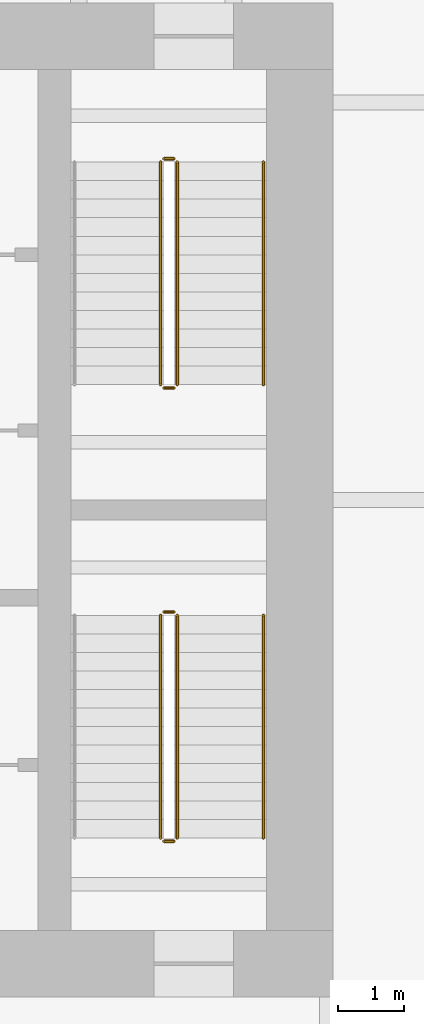
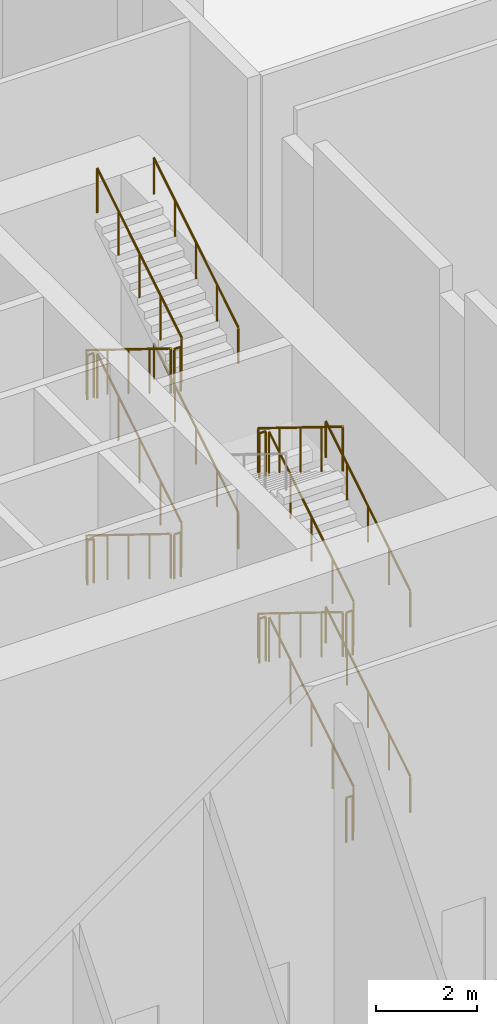
# One storey, part 22 of 23: 20 railings.
"""IFC4 building model written with IfcOpenShell, lengths in metres."""

import ifcopenshell
import ifcopenshell.guid

model = None  # the IFC model being written
_history = None  # IfcOwnerHistory: only IFC2X3 demands one
_inside = {}  # id of a spatial element -> (the spatial element, [elements in it])
_under = {}  # id of a project, library or spatial element -> (it, [spatial elements below it])
_declared = {}  # id of a project -> (the project, [libraries it declares])
_typed = {}  # id of a type object -> (the type object, [elements of that type])
_made_of = {}  # id of a material, layer set ... -> (it, [elements and type objects made of it])


def new_model(schema):
    """Start an empty IFC model of exactly this schema.

    Asked for "IFC4X3", IfcOpenShell would pick the latest addendum, in which some entities
    have other attributes; the version numbers below select the first issue.
    IFC2X3 requires an IfcOwnerHistory on every rooted entity: one is made here for all.
    """
    global model, _history
    if schema == "IFC4X3":
        model = ifcopenshell.file(schema_version=(4, 3, 0, 0))
    else:
        model = ifcopenshell.file(schema=schema)
    _inside.clear()
    _under.clear()
    _declared.clear()
    _typed.clear()
    _made_of.clear()
    _history = None
    if model.schema == "IFC2X3":
        org = make("IfcOrganization", Name="unknown")
        user = make(
            "IfcPersonAndOrganization",
            ThePerson=make("IfcPerson", FamilyName="unknown"),
            TheOrganization=org,
        )
        app = make(
            "IfcApplication",
            ApplicationDeveloper=org,
            Version="unknown",
            ApplicationFullName="unknown",
            ApplicationIdentifier="unknown",
        )
        _history = make(
            "IfcOwnerHistory",
            OwningUser=user,
            OwningApplication=app,
            ChangeAction="ADDED",
            CreationDate=0,
        )
    return model


def make(cls, **values):
    """One entity of the class cls with the attributes given. An attribute that is None is left unset."""
    return model.create_entity(
        cls, **{name: value for name, value in values.items() if value is not None}
    )


def rooted(cls, **values):
    """An entity with a GlobalId (a new one), such as an element, a storey or a relation."""
    return make(cls, GlobalId=ifcopenshell.guid.new(), OwnerHistory=_history, **values)


def si_unit(unit_type, name, prefix=None):
    """IfcSIUnit, for example si_unit("LENGTHUNIT", "METRE", prefix="MILLI")."""
    return make("IfcSIUnit", UnitType=unit_type, Prefix=prefix, Name=name)


def assignment(units):
    """IfcUnitAssignment: the units of a project."""
    return None if units is None else make("IfcUnitAssignment", Units=units)


def point(xyz):
    """IfcCartesianPoint."""
    return None if xyz is None else make("IfcCartesianPoint", Coordinates=xyz)


def direction(xyz):
    """IfcDirection."""
    return None if xyz is None else make("IfcDirection", DirectionRatios=xyz)


def frame(location, z_axis=None, x_axis=None):
    """IfcAxis2Placement3D, a coordinate frame: its origin and axes. An axis left out is left unset."""
    return make(
        "IfcAxis2Placement3D",
        Location=point(location),
        Axis=direction(z_axis),
        RefDirection=direction(x_axis),
    )


def frame_2d(location, x_axis=None):
    """IfcAxis2Placement2D, a coordinate frame in the plane: its origin and x axis."""
    return make(
        "IfcAxis2Placement2D", Location=point(location), RefDirection=direction(x_axis)
    )


def origin():
    """The frame at (0, 0, 0) with its axes left unset."""
    return frame((0.0, 0.0, 0.0))


def origin_2d():
    """The frame at (0, 0) in the plane with its x axis left unset."""
    return frame_2d((0.0, 0.0))


def place(relative_to, where):
    """IfcLocalPlacement: puts the frame where relative to a parent placement (None: the world)."""
    return make(
        "IfcLocalPlacement", PlacementRelTo=relative_to, RelativePlacement=where
    )


def context(
    kind, dimensions, precision=None, world=None, true_north=None, identifier=None
):
    """IfcGeometricRepresentationContext, for example the 3D "Model" context."""
    return make(
        "IfcGeometricRepresentationContext",
        ContextIdentifier=identifier,
        ContextType=kind,
        CoordinateSpaceDimension=dimensions,
        Precision=precision,
        WorldCoordinateSystem=world,
        TrueNorth=true_north,
    )


def subcontext(parent, identifier, kind, view, scale=None):
    """IfcGeometricRepresentationSubContext, for example "Body" below "Model"."""
    return make(
        "IfcGeometricRepresentationSubContext",
        ContextIdentifier=identifier,
        ContextType=kind,
        ParentContext=parent,
        TargetScale=scale,
        TargetView=view,
    )


def project(units=None, contexts=None):
    """IfcProject with its units and contexts."""
    return rooted(
        "IfcProject",
        Name="project",
        RepresentationContexts=contexts,
        UnitsInContext=assignment(units),
    )


def spatial(cls, under=None, at=None, **own):
    """A site, building, storey or space (cls), placed at a placement, below another one or the project."""
    s = rooted(cls, ObjectPlacement=at, **own)
    if under is not None:
        _under.setdefault(under.id(), (under, []))[1].append(s)
    return s


def profile(cls, at=None, kind="AREA", **sizes):
    """A parametric profile (cls). Its sizes go by their IFC names, for example OverallWidth=200.0."""
    return make(cls, ProfileType=kind, Position=at, **sizes)


def circle(**sizes):
    """IfcCircleProfileDef."""
    return profile("IfcCircleProfileDef", **sizes)


def extrude(swept, where, along, depth):
    """IfcExtrudedAreaSolid: the profile swept, set in the frame where, extruded along a direction by depth."""
    return make(
        "IfcExtrudedAreaSolid",
        SweptArea=swept,
        Position=where,
        ExtrudedDirection=direction(along),
        Depth=depth,
    )


def shape(context_of_items, identifier, shape_type, items):
    """IfcShapeRepresentation: the items that make up one representation, for example the "Body"."""
    return make(
        "IfcShapeRepresentation",
        ContextOfItems=context_of_items,
        RepresentationIdentifier=identifier,
        RepresentationType=shape_type,
        Items=items,
    )


def material(Name=None, Category=None):
    """IfcMaterial."""
    return make("IfcMaterial", Name=Name, Category=Category)


def made_of(thing, what):
    """Note that an element or type object is made of a material, layer set ...; save() writes the relation."""
    if what is not None:
        _made_of.setdefault(what.id(), (what, []))[1].append(thing)
    return thing


def type_object(cls, material=None, **own):
    """A type object (cls), such as IfcWallType, which elements share."""
    return made_of(rooted(cls, **own), material)


def element(
    cls,
    number,
    at=None,
    inside=None,
    cuts=None,
    type_object=None,
    material=None,
    context=None,
    identifier="Body",
    shape_type=None,
    held_by="IfcProductDefinitionShape",
    body=None,
    shapes=None,
    **own,
):
    """One element of the class cls, such as IfcWall. Its Tag is "e" and its number.

    at: its placement. inside: the storey or other place that contains it. cuts: it is an
    opening in that element (IfcRelVoidsElement). A single representation is given by context,
    identifier, shape_type and body (its items); several are given by shapes. held_by: the class
    of the entity that holds the representations. save() writes the other relations.
    """
    e = rooted(cls, Tag="e%d" % number, ObjectPlacement=at, **own)
    if body is not None:
        shapes = [shape(context, identifier, shape_type, body)]
    if shapes is not None:
        e.Representation = make(held_by, Representations=shapes)
    if inside is not None:
        _inside.setdefault(inside.id(), (inside, []))[1].append(e)
    if cuts is not None:
        rooted(
            "IfcRelVoidsElement", RelatingBuildingElement=cuts, RelatedOpeningElement=e
        )
    if type_object is not None:
        _typed.setdefault(type_object.id(), (type_object, []))[1].append(e)
    return made_of(e, material)


def aggregate(whole, parts):
    """IfcRelAggregates: a whole, such as a stair, and the parts it consists of."""
    return rooted("IfcRelAggregates", RelatingObject=whole, RelatedObjects=parts)


def save(model, path):
    """Write the relations noted so far, then the file.

    IfcRelAggregates (storeys below a building ...), IfcRelContainedInSpatialStructure (elements
    in a storey), IfcRelDefinesByType, IfcRelAssociatesMaterial and IfcRelDeclares: one each for
    every whole, place, type object, material and project.
    """
    for whole, parts in _under.values():
        aggregate(whole, parts)
    for where, things in _inside.values():
        rooted(
            "IfcRelContainedInSpatialStructure",
            RelatedElements=things,
            RelatingStructure=where,
        )
    for kind, things in _typed.values():
        rooted("IfcRelDefinesByType", RelatedObjects=things, RelatingType=kind)
    for what, things in _made_of.values():
        rooted("IfcRelAssociatesMaterial", RelatedObjects=things, RelatingMaterial=what)
    for by, libraries in _declared.values():
        rooted("IfcRelDeclares", RelatingContext=by, RelatedDefinitions=libraries)
    model.write(path)


model = new_model("IFC4")

# Units and contexts
model_context = context("Model", 3, precision=1e-05, world=origin(), true_north=direction((0.0, 1.0)))
body_context = subcontext(model_context, "Body", "Model", "MODEL_VIEW")
ifc_project = project(units=[si_unit("LENGTHUNIT", "METRE"), si_unit("AREAUNIT", "SQUARE_METRE"), si_unit("VOLUMEUNIT", "CUBIC_METRE"), si_unit("PLANEANGLEUNIT", "RADIAN"), si_unit("MASSUNIT", "GRAM", prefix="KILO")], contexts=[model_context])

# Site, building, storey
site_placement = place(None, origin())
site = spatial("IfcSite", under=ifc_project, at=site_placement, CompositionType="ELEMENT")
building_placement = place(site_placement, origin())
building = spatial("IfcBuilding", under=site, at=building_placement, Name="Isthmus Gate Tower", CompositionType="ELEMENT")
storey_placement = place(building_placement, frame((0.0, 0.0, 9.0)))
storey = spatial("IfcBuildingStorey", under=building, at=storey_placement, Name="L01", CompositionType="ELEMENT", Elevation=9.0)

# Railings
ifc_material_1 = material(Name="Stainless steel balustrade", Category="steel")
railing_type_1 = type_object("IfcRailingType", Name="STAIR GUARD 1100", PredefinedType="GUARDRAIL", material=ifc_material_1)
railing_1_placement = place(storey_placement, frame((12.39990234375, 12.60009765625, 0.173095703125)))
element("IfcRailing", 1, at=railing_1_placement, inside=storey, type_object=railing_type_1, Name="L01 ST2 stair guard 1", PredefinedType="GUARDRAIL", context=body_context, shape_type="SweptSolid", body=[
    extrude(circle(Radius=0.02392578125, at=origin_2d()), frame((0.0, 0.0, 1.076171875), z_axis=(0.0, -0.850623216509, 0.525775754039), x_axis=(1.0, 0.0, 0.0)), (0.0, 0.0, 1.0), 3.9501953125),
    extrude(circle(Radius=0.02099609375, at=origin_2d()), origin(), (0.0, 0.0, 1.0), 1.052001953125),
    extrude(circle(Radius=0.02099609375, at=origin_2d()), frame((0.0, -0.840087890625, 0.519287109375)), (0.0, 0.0, 1.0), 1.052001953125),
    extrude(circle(Radius=0.02099609375, at=origin_2d()), frame((0.0, -1.68017578125, 1.03857421875)), (0.0, 0.0, 1.0), 1.052001953125),
    extrude(circle(Radius=0.02099609375, at=origin_2d()), frame((0.0, -2.52001953125, 1.5576171875)), (0.0, 0.0, 1.0), 1.052001953125),
    extrude(circle(Radius=0.02099609375, at=origin_2d()), frame((0.0, -3.360107421875, 2.076904296875)), (0.0, 0.0, 1.0), 1.052001953125),
])
railing_2_placement = place(storey_placement, frame((12.449951171875, 9.18994140625, 2.25)))
element("IfcRailing", 2, at=railing_2_placement, inside=storey, type_object=railing_type_1, Name="L01 ST2 stair guard 2", PredefinedType="GUARDRAIL", context=body_context, shape_type="SweptSolid", body=[
    extrude(circle(Radius=0.02392578125, at=origin_2d()), frame((0.0, 0.0, 1.076171875), z_axis=(1.0, 0.0, 0.0), x_axis=(0.0, 1.0, 0.0)), (0.0, 0.0, 1.0), 0.150146484375),
    extrude(circle(Radius=0.02099609375, at=origin_2d()), origin(), (0.0, 0.0, 1.0), 1.052001953125),
    extrude(circle(Radius=0.02099609375, at=origin_2d()), frame((0.150146484375, 0.0, 0.0)), (0.0, 0.0, 1.0), 1.052001953125),
])
railing_3_placement = place(storey_placement, frame((12.64990234375, 9.239990234375, 2.423095703125)))
element("IfcRailing", 3, at=railing_3_placement, inside=storey, type_object=railing_type_1, Name="L01 ST2 stair guard 3", PredefinedType="GUARDRAIL", context=body_context, shape_type="SweptSolid", body=[
    extrude(circle(Radius=0.02392578125, at=origin_2d()), frame((0.0, 0.0, 1.076171875), z_axis=(0.0, 0.850623216509, 0.525775754039), x_axis=(-1.0, 0.0, 0.0)), (0.0, 0.0, 1.0), 3.9501953125),
    extrude(circle(Radius=0.02099609375, at=origin_2d()), origin(), (0.0, 0.0, 1.0), 1.052001953125),
    extrude(circle(Radius=0.02099609375, at=origin_2d()), frame((0.0, 0.840087890625, 0.519287109375)), (0.0, 0.0, 1.0), 1.052001953125),
    extrude(circle(Radius=0.02099609375, at=origin_2d()), frame((0.0, 1.68017578125, 1.03857421875)), (0.0, 0.0, 1.0), 1.052001953125),
    extrude(circle(Radius=0.02099609375, at=origin_2d()), frame((0.0, 2.52001953125, 1.5576171875)), (0.0, 0.0, 1.0), 1.052001953125),
    extrude(circle(Radius=0.02099609375, at=origin_2d()), frame((0.0, 3.360107421875, 2.076904296875)), (0.0, 0.0, 1.0), 1.052001953125),
])
railing_4_placement = place(storey_placement, frame((12.449951171875, 12.64990234375, 4.5)))
element("IfcRailing", 4, at=railing_4_placement, inside=storey, type_object=railing_type_1, Name="L01 ST2 stair guard 4", PredefinedType="GUARDRAIL", context=body_context, shape_type="SweptSolid", body=[
    extrude(circle(Radius=0.02392578125, at=origin_2d()), frame((0.0, 0.0, 1.076171875), z_axis=(1.0, 0.0, 0.0), x_axis=(0.0, 1.0, 0.0)), (0.0, 0.0, 1.0), 0.150146484375),
    extrude(circle(Radius=0.02099609375, at=origin_2d()), origin(), (0.0, 0.0, 1.0), 1.052001953125),
    extrude(circle(Radius=0.02099609375, at=origin_2d()), frame((0.150146484375, 0.0, 0.0)), (0.0, 0.0, 1.0), 1.052001953125),
])
railing_5_placement = place(storey_placement, frame((12.39990234375, 12.60009765625, 4.673095703125)))
element("IfcRailing", 5, at=railing_5_placement, inside=storey, type_object=railing_type_1, Name="L01 ST2 stair guard 5", PredefinedType="GUARDRAIL", context=body_context, shape_type="SweptSolid", body=[
    extrude(circle(Radius=0.02392578125, at=origin_2d()), frame((0.0, 0.0, 1.076171875), z_axis=(0.0, -0.850623216509, 0.525775754039), x_axis=(1.0, 0.0, 0.0)), (0.0, 0.0, 1.0), 3.9501953125),
    extrude(circle(Radius=0.02099609375, at=origin_2d()), origin(), (0.0, 0.0, 1.0), 1.052001953125),
    extrude(circle(Radius=0.02099609375, at=origin_2d()), frame((0.0, -0.840087890625, 0.519287109375)), (0.0, 0.0, 1.0), 1.052001953125),
    extrude(circle(Radius=0.02099609375, at=origin_2d()), frame((0.0, -1.68017578125, 1.03857421875)), (0.0, 0.0, 1.0), 1.052001953125),
    extrude(circle(Radius=0.02099609375, at=origin_2d()), frame((0.0, -2.52001953125, 1.5576171875)), (0.0, 0.0, 1.0), 1.052001953125),
    extrude(circle(Radius=0.02099609375, at=origin_2d()), frame((0.0, -3.360107421875, 2.076904296875)), (0.0, 0.0, 1.0), 1.052001953125),
])
railing_6_placement = place(storey_placement, frame((12.449951171875, 9.18994140625, 6.75)))
element("IfcRailing", 6, at=railing_6_placement, inside=storey, type_object=railing_type_1, Name="L01 ST2 stair guard 6", PredefinedType="GUARDRAIL", context=body_context, shape_type="SweptSolid", body=[
    extrude(circle(Radius=0.02392578125, at=origin_2d()), frame((0.0, 0.0, 1.076171875), z_axis=(1.0, 0.0, 0.0), x_axis=(0.0, 1.0, 0.0)), (0.0, 0.0, 1.0), 0.150146484375),
    extrude(circle(Radius=0.02099609375, at=origin_2d()), origin(), (0.0, 0.0, 1.0), 1.052001953125),
    extrude(circle(Radius=0.02099609375, at=origin_2d()), frame((0.150146484375, 0.0, 0.0)), (0.0, 0.0, 1.0), 1.052001953125),
])
railing_7_placement = place(storey_placement, frame((12.64990234375, 9.239990234375, 6.923095703125)))
element("IfcRailing", 7, at=railing_7_placement, inside=storey, type_object=railing_type_1, Name="L01 ST2 stair guard 7", PredefinedType="GUARDRAIL", context=body_context, shape_type="SweptSolid", body=[
    extrude(circle(Radius=0.02392578125, at=origin_2d()), frame((0.0, 0.0, 1.076171875), z_axis=(0.0, 0.850623216509, 0.525775754039), x_axis=(-1.0, 0.0, 0.0)), (0.0, 0.0, 1.0), 3.9501953125),
    extrude(circle(Radius=0.02099609375, at=origin_2d()), origin(), (0.0, 0.0, 1.0), 1.052001953125),
    extrude(circle(Radius=0.02099609375, at=origin_2d()), frame((0.0, 0.840087890625, 0.519287109375)), (0.0, 0.0, 1.0), 1.052001953125),
    extrude(circle(Radius=0.02099609375, at=origin_2d()), frame((0.0, 1.68017578125, 1.03857421875)), (0.0, 0.0, 1.0), 1.052001953125),
    extrude(circle(Radius=0.02099609375, at=origin_2d()), frame((0.0, 2.52001953125, 1.5576171875)), (0.0, 0.0, 1.0), 1.052001953125),
    extrude(circle(Radius=0.02099609375, at=origin_2d()), frame((0.0, 3.360107421875, 2.076904296875)), (0.0, 0.0, 1.0), 1.052001953125),
])
railing_8_placement = place(storey_placement, frame((12.449951171875, 12.64990234375, 0.0)))
element("IfcRailing", 8, at=railing_8_placement, inside=storey, type_object=railing_type_1, Name="L01 ST2 stair guard 8", PredefinedType="GUARDRAIL", context=body_context, shape_type="SweptSolid", body=[
    extrude(circle(Radius=0.02392578125, at=origin_2d()), frame((0.0, 0.0, 1.076171875), z_axis=(1.0, 0.0, 0.0), x_axis=(0.0, 1.0, 0.0)), (0.0, 0.0, 1.0), 0.150146484375),
    extrude(circle(Radius=0.02099609375, at=origin_2d()), origin(), (0.0, 0.0, 1.0), 1.052001953125),
    extrude(circle(Radius=0.02099609375, at=origin_2d()), frame((0.150146484375, 0.0, 0.0)), (0.0, 0.0, 1.0), 1.052001953125),
])
railing_9_placement = place(storey_placement, frame((12.64990234375, 2.39990234375, 0.173095703125)))
element("IfcRailing", 9, at=railing_9_placement, inside=storey, type_object=railing_type_1, Name="L01 ST8 stair guard 1", PredefinedType="GUARDRAIL", context=body_context, shape_type="SweptSolid", body=[
    extrude(circle(Radius=0.02392578125, at=origin_2d()), frame((0.0, 0.0, 1.076171875), z_axis=(0.0, 0.850623216509, 0.525775754039), x_axis=(-1.0, 0.0, 0.0)), (0.0, 0.0, 1.0), 3.9501953125),
    extrude(circle(Radius=0.02099609375, at=origin_2d()), origin(), (0.0, 0.0, 1.0), 1.052001953125),
    extrude(circle(Radius=0.02099609375, at=origin_2d()), frame((0.0, 0.840087890625, 0.519287109375)), (0.0, 0.0, 1.0), 1.052001953125),
    extrude(circle(Radius=0.02099609375, at=origin_2d()), frame((0.0, 1.68017578125, 1.03857421875)), (0.0, 0.0, 1.0), 1.052001953125),
    extrude(circle(Radius=0.02099609375, at=origin_2d()), frame((0.0, 2.52001953125, 1.5576171875)), (0.0, 0.0, 1.0), 1.052001953125),
    extrude(circle(Radius=0.02099609375, at=origin_2d()), frame((0.0, 3.360107421875, 2.076904296875)), (0.0, 0.0, 1.0), 1.052001953125),
])
railing_10_placement = place(storey_placement, frame((12.60009765625, 5.81005859375, 2.25)))
element("IfcRailing", 10, at=railing_10_placement, inside=storey, type_object=railing_type_1, Name="L01 ST8 stair guard 2", PredefinedType="GUARDRAIL", context=body_context, shape_type="SweptSolid", body=[
    extrude(circle(Radius=0.02392578125, at=origin_2d()), frame((0.0, 0.0, 1.076171875), z_axis=(-1.0, 0.0, 0.0), x_axis=(0.0, -1.0, 0.0)), (0.0, 0.0, 1.0), 0.150146484375),
    extrude(circle(Radius=0.02099609375, at=origin_2d()), origin(), (0.0, 0.0, 1.0), 1.052001953125),
    extrude(circle(Radius=0.02099609375, at=origin_2d()), frame((-0.150146484375, 0.0, 0.0)), (0.0, 0.0, 1.0), 1.052001953125),
])
railing_11_placement = place(storey_placement, frame((12.39990234375, 5.760009765625, 2.423095703125)))
element("IfcRailing", 11, at=railing_11_placement, inside=storey, type_object=railing_type_1, Name="L01 ST8 stair guard 3", PredefinedType="GUARDRAIL", context=body_context, shape_type="SweptSolid", body=[
    extrude(circle(Radius=0.02392578125, at=origin_2d()), frame((0.0, 0.0, 1.076171875), z_axis=(0.0, -0.850623216509, 0.525775754039), x_axis=(1.0, 0.0, 0.0)), (0.0, 0.0, 1.0), 3.9501953125),
    extrude(circle(Radius=0.02099609375, at=origin_2d()), origin(), (0.0, 0.0, 1.0), 1.052001953125),
    extrude(circle(Radius=0.02099609375, at=origin_2d()), frame((0.0, -0.840087890625, 0.519287109375)), (0.0, 0.0, 1.0), 1.052001953125),
    extrude(circle(Radius=0.02099609375, at=origin_2d()), frame((0.0, -1.68017578125, 1.03857421875)), (0.0, 0.0, 1.0), 1.052001953125),
    extrude(circle(Radius=0.02099609375, at=origin_2d()), frame((0.0, -2.52001953125, 1.5576171875)), (0.0, 0.0, 1.0), 1.052001953125),
    extrude(circle(Radius=0.02099609375, at=origin_2d()), frame((0.0, -3.360107421875, 2.076904296875)), (0.0, 0.0, 1.0), 1.052001953125),
])
railing_12_placement = place(storey_placement, frame((12.60009765625, 2.35009765625, 4.5)))
element("IfcRailing", 12, at=railing_12_placement, inside=storey, type_object=railing_type_1, Name="L01 ST8 stair guard 4", PredefinedType="GUARDRAIL", context=body_context, shape_type="SweptSolid", body=[
    extrude(circle(Radius=0.02392578125, at=origin_2d()), frame((0.0, 0.0, 1.076171875), z_axis=(-1.0, 0.0, 0.0), x_axis=(0.0, -1.0, 0.0)), (0.0, 0.0, 1.0), 0.150146484375),
    extrude(circle(Radius=0.02099609375, at=origin_2d()), origin(), (0.0, 0.0, 1.0), 1.052001953125),
    extrude(circle(Radius=0.02099609375, at=origin_2d()), frame((-0.150146484375, 0.0, 0.0)), (0.0, 0.0, 1.0), 1.052001953125),
])
railing_13_placement = place(storey_placement, frame((12.64990234375, 2.39990234375, 4.673095703125)))
element("IfcRailing", 13, at=railing_13_placement, inside=storey, type_object=railing_type_1, Name="L01 ST8 stair guard 5", PredefinedType="GUARDRAIL", context=body_context, shape_type="SweptSolid", body=[
    extrude(circle(Radius=0.02392578125, at=origin_2d()), frame((0.0, 0.0, 1.076171875), z_axis=(0.0, 0.850623216509, 0.525775754039), x_axis=(-1.0, 0.0, 0.0)), (0.0, 0.0, 1.0), 3.9501953125),
    extrude(circle(Radius=0.02099609375, at=origin_2d()), origin(), (0.0, 0.0, 1.0), 1.052001953125),
    extrude(circle(Radius=0.02099609375, at=origin_2d()), frame((0.0, 0.840087890625, 0.519287109375)), (0.0, 0.0, 1.0), 1.052001953125),
    extrude(circle(Radius=0.02099609375, at=origin_2d()), frame((0.0, 1.68017578125, 1.03857421875)), (0.0, 0.0, 1.0), 1.052001953125),
    extrude(circle(Radius=0.02099609375, at=origin_2d()), frame((0.0, 2.52001953125, 1.5576171875)), (0.0, 0.0, 1.0), 1.052001953125),
    extrude(circle(Radius=0.02099609375, at=origin_2d()), frame((0.0, 3.360107421875, 2.076904296875)), (0.0, 0.0, 1.0), 1.052001953125),
])
railing_14_placement = place(storey_placement, frame((12.60009765625, 5.81005859375, 6.75)))
element("IfcRailing", 14, at=railing_14_placement, inside=storey, type_object=railing_type_1, Name="L01 ST8 stair guard 6", PredefinedType="GUARDRAIL", context=body_context, shape_type="SweptSolid", body=[
    extrude(circle(Radius=0.02392578125, at=origin_2d()), frame((0.0, 0.0, 1.076171875), z_axis=(-1.0, 0.0, 0.0), x_axis=(0.0, -1.0, 0.0)), (0.0, 0.0, 1.0), 0.150146484375),
    extrude(circle(Radius=0.02099609375, at=origin_2d()), origin(), (0.0, 0.0, 1.0), 1.052001953125),
    extrude(circle(Radius=0.02099609375, at=origin_2d()), frame((-0.150146484375, 0.0, 0.0)), (0.0, 0.0, 1.0), 1.052001953125),
])
railing_15_placement = place(storey_placement, frame((12.39990234375, 5.760009765625, 6.923095703125)))
element("IfcRailing", 15, at=railing_15_placement, inside=storey, type_object=railing_type_1, Name="L01 ST8 stair guard 7", PredefinedType="GUARDRAIL", context=body_context, shape_type="SweptSolid", body=[
    extrude(circle(Radius=0.02392578125, at=origin_2d()), frame((0.0, 0.0, 1.076171875), z_axis=(0.0, -0.850623216509, 0.525775754039), x_axis=(1.0, 0.0, 0.0)), (0.0, 0.0, 1.0), 3.9501953125),
    extrude(circle(Radius=0.02099609375, at=origin_2d()), origin(), (0.0, 0.0, 1.0), 1.052001953125),
    extrude(circle(Radius=0.02099609375, at=origin_2d()), frame((0.0, -0.840087890625, 0.519287109375)), (0.0, 0.0, 1.0), 1.052001953125),
    extrude(circle(Radius=0.02099609375, at=origin_2d()), frame((0.0, -1.68017578125, 1.03857421875)), (0.0, 0.0, 1.0), 1.052001953125),
    extrude(circle(Radius=0.02099609375, at=origin_2d()), frame((0.0, -2.52001953125, 1.5576171875)), (0.0, 0.0, 1.0), 1.052001953125),
    extrude(circle(Radius=0.02099609375, at=origin_2d()), frame((0.0, -3.360107421875, 2.076904296875)), (0.0, 0.0, 1.0), 1.052001953125),
])
railing_16_placement = place(storey_placement, frame((12.60009765625, 2.35009765625, 0.0)))
element("IfcRailing", 16, at=railing_16_placement, inside=storey, type_object=railing_type_1, Name="L01 ST8 stair guard 8", PredefinedType="GUARDRAIL", context=body_context, shape_type="SweptSolid", body=[
    extrude(circle(Radius=0.02392578125, at=origin_2d()), frame((0.0, 0.0, 1.076171875), z_axis=(-1.0, 0.0, 0.0), x_axis=(0.0, -1.0, 0.0)), (0.0, 0.0, 1.0), 0.150146484375),
    extrude(circle(Radius=0.02099609375, at=origin_2d()), origin(), (0.0, 0.0, 1.0), 1.052001953125),
    extrude(circle(Radius=0.02099609375, at=origin_2d()), frame((-0.150146484375, 0.0, 0.0)), (0.0, 0.0, 1.0), 1.052001953125),
])
ifc_material_2 = material(Name="Stainless steel handrail", Category="steel")
railing_type_2 = type_object("IfcRailingType", Name="STAIR HANDRAIL 900", PredefinedType="HANDRAIL", material=ifc_material_2)
for number, where, name in (
    (17, (13.949951171875, 9.239990234375, 2.423095703125), "L01 ST2 stair handrail 2"),
    (18, (13.949951171875, 9.239990234375, 6.923095703125), "L01 ST2 stair handrail 4"),
    (19, (13.949951171875, 2.39990234375, 0.173095703125), "L01 ST8 stair handrail 1"),
    (20, (13.949951171875, 2.39990234375, 4.673095703125), "L01 ST8 stair handrail 3"),
):
    element("IfcRailing", number, at=place(storey_placement, frame(where)), inside=storey, type_object=railing_type_2, Name=name, PredefinedType="HANDRAIL", context=body_context, shape_type="SweptSolid", body=[
        extrude(circle(Radius=0.02392578125, at=origin_2d()), frame((0.0, 0.0, 0.8759765625), z_axis=(0.0, 0.850623216509, 0.525775754039), x_axis=(-1.0, 0.0, 0.0)), (0.0, 0.0, 1.0), 3.9501953125),
        extrude(circle(Radius=0.02099609375, at=origin_2d()), origin(), (0.0, 0.0, 1.0), 0.851806640625),
        extrude(circle(Radius=0.02099609375, at=origin_2d()), frame((0.0, 0.840087890625, 0.519287109375)), (0.0, 0.0, 1.0), 0.851806640625),
        extrude(circle(Radius=0.02099609375, at=origin_2d()), frame((0.0, 1.68017578125, 1.03857421875)), (0.0, 0.0, 1.0), 0.851806640625),
        extrude(circle(Radius=0.02099609375, at=origin_2d()), frame((0.0, 2.52001953125, 1.5576171875)), (0.0, 0.0, 1.0), 0.851806640625),
        extrude(circle(Radius=0.02099609375, at=origin_2d()), frame((0.0, 3.360107421875, 2.076904296875)), (0.0, 0.0, 1.0), 0.851806640625),
    ])

save(model, "model.ifc")
